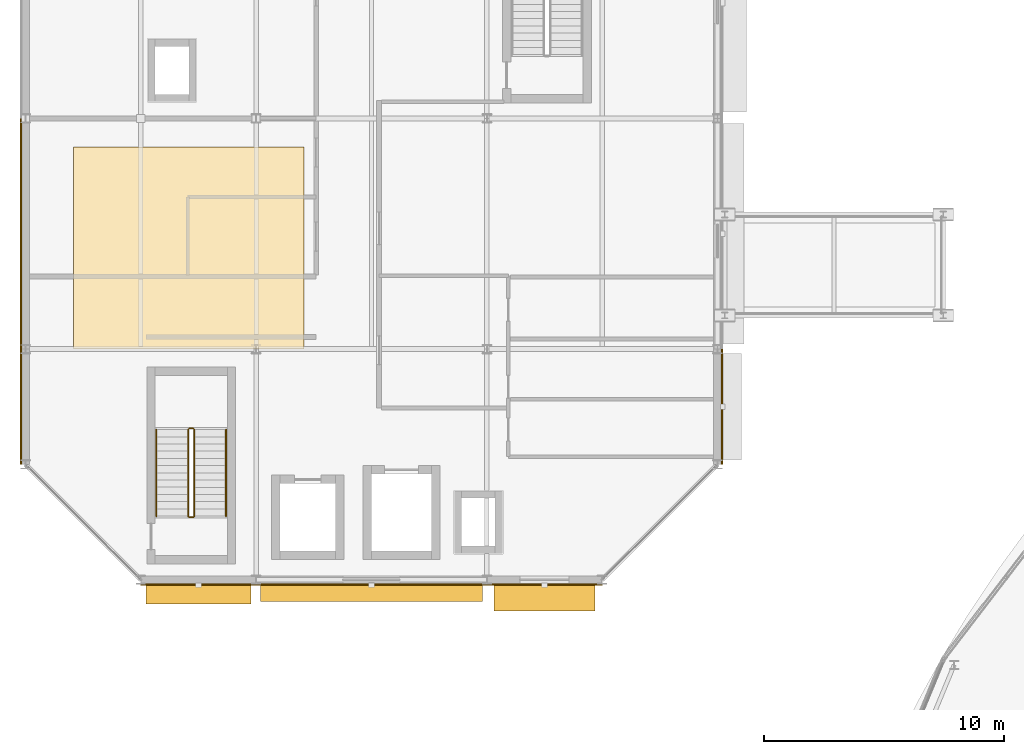
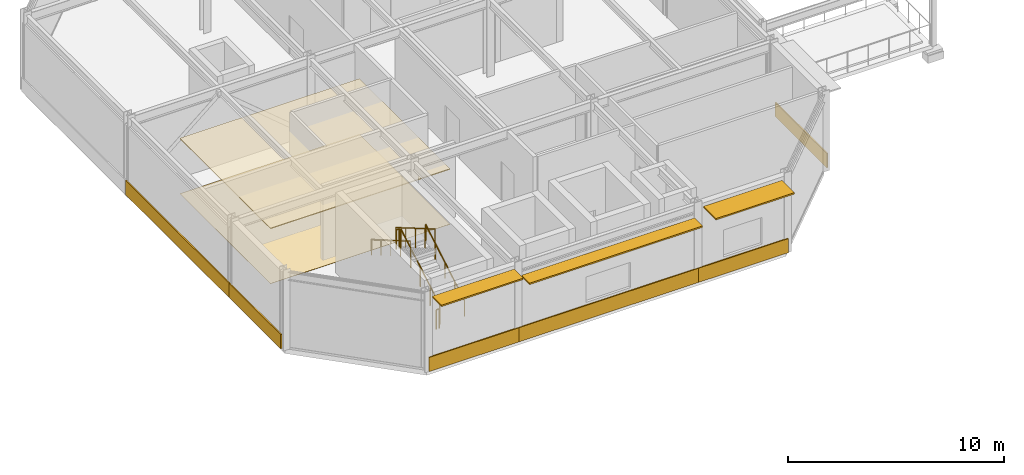
# One storey, part 142 of 157: 8 coverings, 6 railings, 3 shading devices.
"""IFC4 building model written with IfcOpenShell, lengths in metres."""

from ifc_helpers import new_model, si_unit, direction, frame, origin, origin_2d, place, context, subcontext, project, spatial, polyline, rectangle, circle, outline, extrude, material, layer, layer_set, type_object, element, save


model = new_model("IFC4")

# Units and contexts
model_context = context("Model", 3, precision=1e-05, world=origin(), true_north=direction((0.0, 1.0)))
body_context = subcontext(model_context, "Body", "Model", "MODEL_VIEW")
ifc_project = project(units=[si_unit("LENGTHUNIT", "METRE"), si_unit("AREAUNIT", "SQUARE_METRE"), si_unit("VOLUMEUNIT", "CUBIC_METRE"), si_unit("PLANEANGLEUNIT", "RADIAN"), si_unit("MASSUNIT", "GRAM", prefix="KILO")], contexts=[model_context])

# Site, building, storey
site_placement = place(None, origin())
site = spatial("IfcSite", under=ifc_project, at=site_placement, CompositionType="ELEMENT")
building_placement = place(site_placement, origin())
building = spatial("IfcBuilding", under=site, at=building_placement, Name="Almandine Court Research Institute", CompositionType="ELEMENT")
storey_placement = place(building_placement, frame((0.0, 0.0, 5.25)))
storey = spatial("IfcBuildingStorey", under=building, at=storey_placement, Name="L01", CompositionType="ELEMENT", Elevation=5.25)

# Coverings
ifc_material_1 = material(Name="Cleanroom Aluminium HEPA Fan-Filter Ceiling Grid", Category="aluminium")
ifc_layer_1 = layer(ifc_material_1, 0.044921875)
ifc_layer_set_1 = layer_set([ifc_layer_1], Name="Cleanroom Aluminium HEPA Fan-Filter Ceiling Grid")
covering_type_1 = type_object("IfcCoveringType", Name="Cov-CEIL-HEPA", PredefinedType="CEILING", material=ifc_layer_set_1)
covering_1_placement = place(storey_placement, frame((0.0, 0.0, 3.10009765625)))
element("IfcCovering", 1, at=covering_1_placement, inside=storey, type_object=covering_type_1, Name="L01 Cleanroom and Laboratory Suspended Ceiling", PredefinedType="CEILING", context=body_context, shape_type="SweptSolid", body=[
    extrude(outline(polyline([(8.0, 93.60009765625), (17.60009765625, 93.60009765625), (17.60009765625, 102.0), (8.0, 102.0), (8.0, 93.60009765625)])), origin(), (0.0, 0.0, 1.0), 0.044921875),
])
ifc_material_2 = material(Name="Honed Andean Red-Buff Sandstone Cladding", Category="masonry")
ifc_layer_2 = layer(ifc_material_2, 0.06494140625)
ifc_layer_set_2 = layer_set([ifc_layer_2], Name="Honed Andean Red-Buff Sandstone Cladding")
covering_type_2 = type_object("IfcCoveringType", Name="Cov-CLAD-SAND", PredefinedType="CLADDING", material=ifc_layer_set_2)
covering_2_placement = place(storey_placement, frame((5.806884765625, 91.199951171875, 0.02001953125), z_axis=(0.0, 0.0, 1.0), x_axis=(0.0, 1.0, 0.0)))
element("IfcCovering", 2, at=covering_2_placement, inside=storey, type_object=covering_type_2, Name="L01 Facade Spandrel Cladding Band 46", PredefinedType="CLADDING", context=body_context, shape_type="SweptSolid", body=[
    extrude(rectangle(XDim=4.7919921875, YDim=0.06494140625, at=origin_2d()), origin(), (0.0, 0.0, 1.0), 0.800048828125),
])
covering_3_placement = place(storey_placement, frame((5.806884765625, 98.39990234375, 0.02001953125), z_axis=(0.0, 0.0, 1.0), x_axis=(0.0, 1.0, 0.0)))
element("IfcCovering", 3, at=covering_3_placement, inside=storey, type_object=covering_type_2, Name="L01 Facade Spandrel Cladding Band 47", PredefinedType="CLADDING", context=body_context, shape_type="SweptSolid", body=[
    extrude(rectangle(XDim=9.592041015625, YDim=0.06494140625, at=origin_2d()), origin(), (0.0, 0.0, 1.0), 0.800048828125),
])
for number, where, z_axis, x_axis, name in (
    (4, (34.992919921875, 91.199951171875, 0.02001953125), (0.0, 0.0, 1.0), (0.0, -1.0, 0.0), "L01 Facade Spandrel Cladding Band 52"),
    (5, (27.60009765625, 83.806884765625, 0.02001953125), (0.0, 0.0, 1.0), (-1.0, 0.0, 0.0), "L01 Facade Spandrel Cladding Band 55"),
):
    element("IfcCovering", number, at=place(storey_placement, frame(where, z_axis=z_axis, x_axis=x_axis)), inside=storey, type_object=covering_type_2, Name=name, PredefinedType="CLADDING", context=body_context, shape_type="SweptSolid", body=[
        extrude(rectangle(XDim=4.7919921875, YDim=0.06494140625, at=origin_2d()), origin(), (0.0, 0.0, 1.0), 0.800048828125),
    ])
covering_4_placement = place(storey_placement, frame((20.39990234375, 83.806884765625, 0.02001953125), z_axis=(0.0, 0.0, 1.0), x_axis=(-1.0, 0.0, 0.0)))
element("IfcCovering", 6, at=covering_4_placement, inside=storey, type_object=covering_type_2, Name="L01 Facade Spandrel Cladding Band 56", PredefinedType="CLADDING", context=body_context, shape_type="SweptSolid", body=[
    extrude(rectangle(XDim=9.592041015625, YDim=0.06494140625, at=origin_2d()), origin(), (0.0, 0.0, 1.0), 0.800048828125),
])
covering_5_placement = place(storey_placement, frame((13.199951171875, 83.806884765625, 0.02001953125), z_axis=(0.0, 0.0, 1.0), x_axis=(-1.0, 0.0, 0.0)))
element("IfcCovering", 7, at=covering_5_placement, inside=storey, type_object=covering_type_2, Name="L01 Facade Spandrel Cladding Band 57", PredefinedType="CLADDING", context=body_context, shape_type="SweptSolid", body=[
    extrude(rectangle(XDim=4.7919921875, YDim=0.06494140625, at=origin_2d()), origin(), (0.0, 0.0, 1.0), 0.800048828125),
])
ifc_material_3 = material(Name="Seamless Chemical-Resistant Cleanroom Epoxy Flooring")
ifc_layer_3 = layer(ifc_material_3, 0.011962890625)
ifc_layer_set_3 = layer_set([ifc_layer_3], Name="Seamless Chemical-Resistant Cleanroom Epoxy Flooring")
covering_type_3 = type_object("IfcCoveringType", Name="Cov-FLR-EPOXY", PredefinedType="FLOORING", material=ifc_layer_set_3)
covering_6_placement = place(storey_placement, origin())
element("IfcCovering", 8, at=covering_6_placement, inside=storey, type_object=covering_type_3, Name="L01 Cleanroom Seamless Epoxy Flooring", PredefinedType="FLOORING", context=body_context, shape_type="SweptSolid", body=[
    extrude(outline(polyline([(8.0, 93.60009765625), (17.60009765625, 93.60009765625), (17.60009765625, 102.0), (8.0, 102.0), (8.0, 93.60009765625)])), origin(), (0.0, 0.0, 1.0), 0.011962890625),
])

# Railings
ifc_material_4 = material(Name="Powder-Coated Steel Stair and Atrium Balustrade", Category="steel")
railing_type_1 = type_object("IfcRailingType", Name="Rail-GUARD-INT", PredefinedType="BALUSTRADE", material=ifc_material_4)
railing_1_placement = place(storey_placement, frame((13.030029296875, 86.64990234375, 0.175048828125)))
element("IfcRailing", 9, at=railing_1_placement, inside=storey, type_object=railing_type_1, Name="L01 ST-05 stair guard 1", PredefinedType="BALUSTRADE", context=body_context, shape_type="SweptSolid", body=[
    extrude(circle(Radius=0.02392578125, at=origin_2d()), frame((0.0, 0.0, 1.09619140625), z_axis=(0.0, 0.863800146258, 0.503834603144), x_axis=(-1.0, 0.0, 0.0)), (0.0, 0.0, 1.0), 4.167724609375),
    extrude(circle(Radius=0.02099609375, at=origin_2d()), origin(), (0.0, 0.0, 1.0), 1.072021484375),
    extrude(circle(Radius=0.02099609375, at=origin_2d()), frame((0.0, 0.89990234375, 0.52490234375)), (0.0, 0.0, 1.0), 1.072021484375),
    extrude(circle(Radius=0.02099609375, at=origin_2d()), frame((0.0, 1.800048828125, 1.0498046875)), (0.0, 0.0, 1.0), 1.072021484375),
    extrude(circle(Radius=0.02099609375, at=origin_2d()), frame((0.0, 2.7001953125, 1.574951171875)), (0.0, 0.0, 1.0), 1.072021484375),
    extrude(circle(Radius=0.02099609375, at=origin_2d()), frame((0.0, 3.60009765625, 2.099853515625)), (0.0, 0.0, 1.0), 1.072021484375),
])
railing_2_placement = place(storey_placement, frame((12.97998046875, 90.300048828125, 2.27490234375)))
element("IfcRailing", 10, at=railing_2_placement, inside=storey, type_object=railing_type_1, Name="L01 ST-05 stair guard 2", PredefinedType="BALUSTRADE", context=body_context, shape_type="SweptSolid", body=[
    extrude(circle(Radius=0.02392578125, at=origin_2d()), frame((0.0, 0.0, 1.09619140625), z_axis=(-1.0, 0.0, 0.0), x_axis=(0.0, -1.0, 0.0)), (0.0, 0.0, 1.0), 0.159912109375),
    extrude(circle(Radius=0.02099609375, at=origin_2d()), origin(), (0.0, 0.0, 1.0), 1.072021484375),
    extrude(circle(Radius=0.02099609375, at=origin_2d()), frame((-0.159912109375, 0.0, 0.0)), (0.0, 0.0, 1.0), 1.072021484375),
])
railing_3_placement = place(storey_placement, frame((12.77001953125, 90.25, 2.449951171875)))
element("IfcRailing", 11, at=railing_3_placement, inside=storey, type_object=railing_type_1, Name="L01 ST-05 stair guard 3", PredefinedType="BALUSTRADE", context=body_context, shape_type="SweptSolid", body=[
    extrude(circle(Radius=0.02392578125, at=origin_2d()), frame((0.0, 0.0, 1.09619140625), z_axis=(0.0, -0.863774651768, 0.503878309678), x_axis=(1.0, 0.0, 0.0)), (0.0, 0.0, 1.0), 4.16796875),
    extrude(circle(Radius=0.02099609375, at=origin_2d()), origin(), (0.0, 0.0, 1.0), 1.072021484375),
    extrude(circle(Radius=0.02099609375, at=origin_2d()), frame((0.0, -0.89990234375, 0.52490234375)), (0.0, 0.0, 1.0), 1.072021484375),
    extrude(circle(Radius=0.02099609375, at=origin_2d()), frame((0.0, -1.800048828125, 1.050048828125)), (0.0, 0.0, 1.0), 1.072021484375),
    extrude(circle(Radius=0.02099609375, at=origin_2d()), frame((0.0, -2.7001953125, 1.5751953125)), (0.0, 0.0, 1.0), 1.072021484375),
    extrude(circle(Radius=0.02099609375, at=origin_2d()), frame((0.0, -3.60009765625, 2.10009765625)), (0.0, 0.0, 1.0), 1.072021484375),
])
railing_4_placement = place(storey_placement, frame((12.97998046875, 86.60009765625, 0.0)))
element("IfcRailing", 12, at=railing_4_placement, inside=storey, type_object=railing_type_1, Name="L01 ST-05 stair guard 4", PredefinedType="BALUSTRADE", context=body_context, shape_type="SweptSolid", body=[
    extrude(circle(Radius=0.02392578125, at=origin_2d()), frame((0.0, 0.0, 1.09619140625), z_axis=(-1.0, 0.0, 0.0), x_axis=(0.0, -1.0, 0.0)), (0.0, 0.0, 1.0), 0.159912109375),
    extrude(circle(Radius=0.02099609375, at=origin_2d()), origin(), (0.0, 0.0, 1.0), 1.072021484375),
    extrude(circle(Radius=0.02099609375, at=origin_2d()), frame((-0.159912109375, 0.0, 0.0)), (0.0, 0.0, 1.0), 1.072021484375),
])
ifc_material_5 = material(Name="Brushed Stainless Steel Wall Handrail", Category="steel")
railing_type_2 = type_object("IfcRailingType", Name="Rail-HAND-INT", PredefinedType="HANDRAIL", material=ifc_material_5)
railing_5_placement = place(storey_placement, frame((14.35009765625, 86.64990234375, 0.175048828125)))
element("IfcRailing", 13, at=railing_5_placement, inside=storey, type_object=railing_type_2, Name="L01 ST-05 stair handrail 1", PredefinedType="HANDRAIL", context=body_context, shape_type="SweptSolid", body=[
    extrude(circle(Radius=0.02392578125, at=origin_2d()), frame((0.0, 0.0, 0.8759765625), z_axis=(0.0, 0.863800146258, 0.503834603144), x_axis=(-1.0, 0.0, 0.0)), (0.0, 0.0, 1.0), 4.167724609375),
    extrude(circle(Radius=0.02099609375, at=origin_2d()), origin(), (0.0, 0.0, 1.0), 0.851806640625),
    extrude(circle(Radius=0.02099609375, at=origin_2d()), frame((0.0, 0.89990234375, 0.52490234375)), (0.0, 0.0, 1.0), 0.851806640625),
    extrude(circle(Radius=0.02099609375, at=origin_2d()), frame((0.0, 1.800048828125, 1.0498046875)), (0.0, 0.0, 1.0), 0.851806640625),
    extrude(circle(Radius=0.02099609375, at=origin_2d()), frame((0.0, 2.7001953125, 1.574951171875)), (0.0, 0.0, 1.0), 0.851806640625),
    extrude(circle(Radius=0.02099609375, at=origin_2d()), frame((0.0, 3.60009765625, 2.099853515625)), (0.0, 0.0, 1.0), 0.851806640625),
])
railing_6_placement = place(storey_placement, frame((11.449951171875, 90.25, 2.449951171875)))
element("IfcRailing", 14, at=railing_6_placement, inside=storey, type_object=railing_type_2, Name="L01 ST-05 stair handrail 2", PredefinedType="HANDRAIL", context=body_context, shape_type="SweptSolid", body=[
    extrude(circle(Radius=0.02392578125, at=origin_2d()), frame((0.0, 0.0, 0.8759765625), z_axis=(0.0, -0.863774651768, 0.503878309678), x_axis=(1.0, 0.0, 0.0)), (0.0, 0.0, 1.0), 4.16796875),
    extrude(circle(Radius=0.02099609375, at=origin_2d()), origin(), (0.0, 0.0, 1.0), 0.851806640625),
    extrude(circle(Radius=0.02099609375, at=origin_2d()), frame((0.0, -0.89990234375, 0.52490234375)), (0.0, 0.0, 1.0), 0.851806640625),
    extrude(circle(Radius=0.02099609375, at=origin_2d()), frame((0.0, -1.800048828125, 1.050048828125)), (0.0, 0.0, 1.0), 0.851806640625),
    extrude(circle(Radius=0.02099609375, at=origin_2d()), frame((0.0, -2.7001953125, 1.5751953125)), (0.0, 0.0, 1.0), 0.851806640625),
    extrude(circle(Radius=0.02099609375, at=origin_2d()), frame((0.0, -3.60009765625, 2.10009765625)), (0.0, 0.0, 1.0), 0.851806640625),
])

# Shading devices
ifc_material_6 = material(Name="Precast GFRC Chhajja Sunshade and Acoustic Louvre", Category="concrete")
ifc_layer_4 = layer(ifc_material_6, 0.080078125)
ifc_layer_set_4 = layer_set([ifc_layer_4], Name="Precast GFRC Chhajja Sunshade and Acoustic Louvre")
shading_device_type_1 = type_object("IfcShadingDeviceType", Name="Shd-SD-19", PredefinedType="AWNING", material=ifc_layer_set_4)
shading_device_1_placement = place(storey_placement, frame((27.60009765625, 83.27197265625, 4.08984375), z_axis=(0.0, 0.0, 1.0), x_axis=(-1.0, 0.0, 0.0)))
element("IfcShadingDevice", 15, at=shading_device_1_placement, inside=storey, type_object=shading_device_type_1, Name="L01 Projecting Chhajja Sunshade 27", PredefinedType="AWNING", context=body_context, shape_type="SweptSolid", body=[
    extrude(rectangle(XDim=4.201904296875, YDim=1.14990234375, at=origin_2d()), origin(), (0.0, 0.0, 1.0), 0.080078125),
])
ifc_layer_5 = layer(ifc_material_6, 0.080078125)
ifc_layer_set_5 = layer_set([ifc_layer_5], Name="Precast GFRC Chhajja Sunshade and Acoustic Louvre")
shading_device_type_2 = type_object("IfcShadingDeviceType", Name="Shd-SD-20", PredefinedType="AWNING", material=ifc_layer_set_5)
shading_device_2_placement = place(storey_placement, frame((20.39990234375, 83.471923828125, 3.60400390625), z_axis=(0.0, 0.0, 1.0), x_axis=(-1.0, 0.0, 0.0)))
element("IfcShadingDevice", 16, at=shading_device_2_placement, inside=storey, type_object=shading_device_type_2, Name="L01 Projecting Chhajja Sunshade 28", PredefinedType="AWNING", context=body_context, shape_type="SweptSolid", body=[
    extrude(rectangle(XDim=9.241943359375, YDim=0.75, at=origin_2d()), origin(), (0.0, 0.0, 1.0), 0.080078125),
])
ifc_layer_6 = layer(ifc_material_6, 0.080078125)
ifc_layer_set_6 = layer_set([ifc_layer_6], Name="Precast GFRC Chhajja Sunshade and Acoustic Louvre")
shading_device_type_3 = type_object("IfcShadingDeviceType", Name="Shd-SD-21", PredefinedType="AWNING", material=ifc_layer_set_6)
shading_device_3_placement = place(storey_placement, frame((13.199951171875, 83.422119140625, 4.08984375), z_axis=(0.0, 0.0, 1.0), x_axis=(-1.0, 0.0, 0.0)))
element("IfcShadingDevice", 17, at=shading_device_3_placement, inside=storey, type_object=shading_device_type_3, Name="L01 Projecting Chhajja Sunshade 29", PredefinedType="AWNING", context=body_context, shape_type="SweptSolid", body=[
    extrude(rectangle(XDim=4.362060546875, YDim=0.85009765625, at=origin_2d()), origin(), (0.0, 0.0, 1.0), 0.080078125),
])

save(model, "model.ifc")
